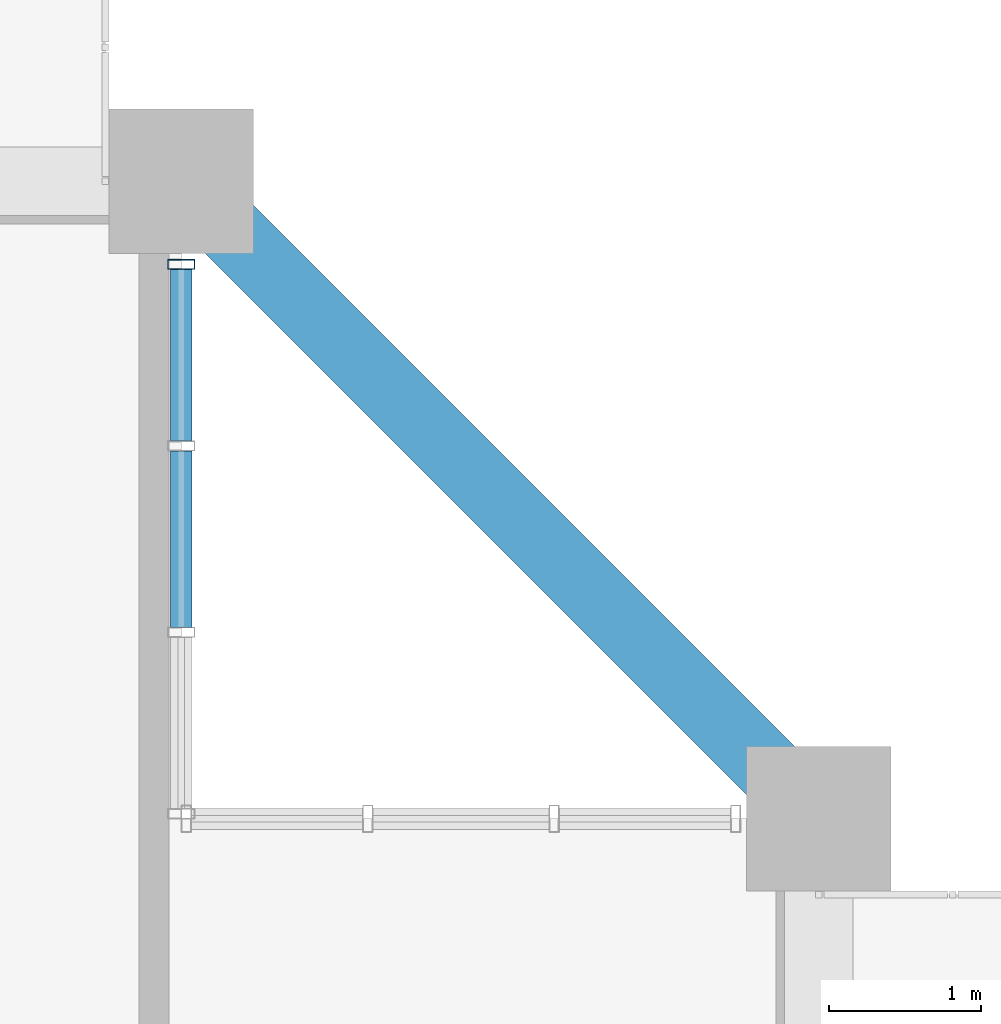
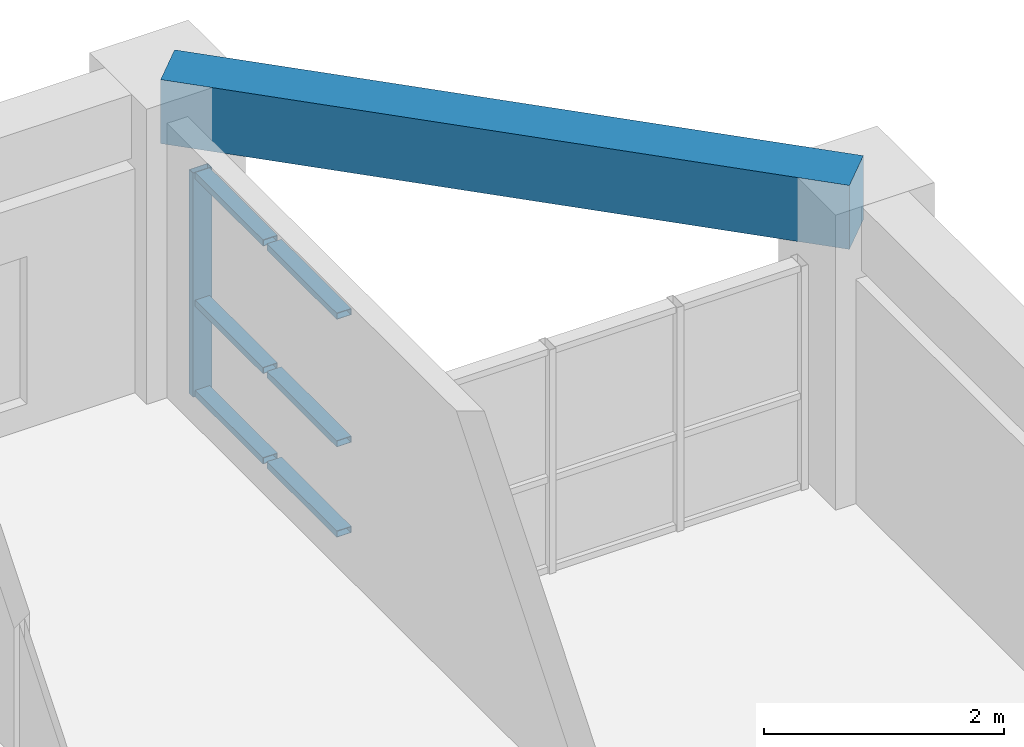
# One storey, part 12 of 25: 7 members, 1 beam, 1 element without a shape of its own.
"""IFC4 building model written with IfcOpenShell, lengths in metres."""

import ifcopenshell
import ifcopenshell.guid

model = None  # the IFC model being written
_history = None  # IfcOwnerHistory: only IFC2X3 demands one
_inside = {}  # id of a spatial element -> (the spatial element, [elements in it])
_under = {}  # id of a project, library or spatial element -> (it, [spatial elements below it])
_declared = {}  # id of a project -> (the project, [libraries it declares])
_typed = {}  # id of a type object -> (the type object, [elements of that type])
_made_of = {}  # id of a material, layer set ... -> (it, [elements and type objects made of it])


def new_model(schema):
    """Start an empty IFC model of exactly this schema.

    Asked for "IFC4X3", IfcOpenShell would pick the latest addendum, in which some entities
    have other attributes; the version numbers below select the first issue.
    IFC2X3 requires an IfcOwnerHistory on every rooted entity: one is made here for all.
    """
    global model, _history
    if schema == "IFC4X3":
        model = ifcopenshell.file(schema_version=(4, 3, 0, 0))
    else:
        model = ifcopenshell.file(schema=schema)
    _inside.clear()
    _under.clear()
    _declared.clear()
    _typed.clear()
    _made_of.clear()
    _history = None
    if model.schema == "IFC2X3":
        org = make("IfcOrganization", Name="unknown")
        user = make(
            "IfcPersonAndOrganization",
            ThePerson=make("IfcPerson", FamilyName="unknown"),
            TheOrganization=org,
        )
        app = make(
            "IfcApplication",
            ApplicationDeveloper=org,
            Version="unknown",
            ApplicationFullName="unknown",
            ApplicationIdentifier="unknown",
        )
        _history = make(
            "IfcOwnerHistory",
            OwningUser=user,
            OwningApplication=app,
            ChangeAction="ADDED",
            CreationDate=0,
        )
    return model


def make(cls, **values):
    """One entity of the class cls with the attributes given. An attribute that is None is left unset."""
    return model.create_entity(
        cls, **{name: value for name, value in values.items() if value is not None}
    )


def rooted(cls, **values):
    """An entity with a GlobalId (a new one), such as an element, a storey or a relation."""
    return make(cls, GlobalId=ifcopenshell.guid.new(), OwnerHistory=_history, **values)


def si_unit(unit_type, name, prefix=None):
    """IfcSIUnit, for example si_unit("LENGTHUNIT", "METRE", prefix="MILLI")."""
    return make("IfcSIUnit", UnitType=unit_type, Prefix=prefix, Name=name)


def assignment(units):
    """IfcUnitAssignment: the units of a project."""
    return None if units is None else make("IfcUnitAssignment", Units=units)


def point(xyz):
    """IfcCartesianPoint."""
    return None if xyz is None else make("IfcCartesianPoint", Coordinates=xyz)


def direction(xyz):
    """IfcDirection."""
    return None if xyz is None else make("IfcDirection", DirectionRatios=xyz)


def frame(location, z_axis=None, x_axis=None):
    """IfcAxis2Placement3D, a coordinate frame: its origin and axes. An axis left out is left unset."""
    return make(
        "IfcAxis2Placement3D",
        Location=point(location),
        Axis=direction(z_axis),
        RefDirection=direction(x_axis),
    )


def frame_2d(location, x_axis=None):
    """IfcAxis2Placement2D, a coordinate frame in the plane: its origin and x axis."""
    return make(
        "IfcAxis2Placement2D", Location=point(location), RefDirection=direction(x_axis)
    )


def origin():
    """The frame at (0, 0, 0) with its axes left unset."""
    return frame((0.0, 0.0, 0.0))


def origin_2d():
    """The frame at (0, 0) in the plane with its x axis left unset."""
    return frame_2d((0.0, 0.0))


def place(relative_to, where):
    """IfcLocalPlacement: puts the frame where relative to a parent placement (None: the world)."""
    return make(
        "IfcLocalPlacement", PlacementRelTo=relative_to, RelativePlacement=where
    )


def context(
    kind, dimensions, precision=None, world=None, true_north=None, identifier=None
):
    """IfcGeometricRepresentationContext, for example the 3D "Model" context."""
    return make(
        "IfcGeometricRepresentationContext",
        ContextIdentifier=identifier,
        ContextType=kind,
        CoordinateSpaceDimension=dimensions,
        Precision=precision,
        WorldCoordinateSystem=world,
        TrueNorth=true_north,
    )


def subcontext(parent, identifier, kind, view, scale=None):
    """IfcGeometricRepresentationSubContext, for example "Body" below "Model"."""
    return make(
        "IfcGeometricRepresentationSubContext",
        ContextIdentifier=identifier,
        ContextType=kind,
        ParentContext=parent,
        TargetScale=scale,
        TargetView=view,
    )


def project(units=None, contexts=None):
    """IfcProject with its units and contexts."""
    return rooted(
        "IfcProject",
        Name="project",
        RepresentationContexts=contexts,
        UnitsInContext=assignment(units),
    )


def spatial(cls, under=None, at=None, **own):
    """A site, building, storey or space (cls), placed at a placement, below another one or the project."""
    s = rooted(cls, ObjectPlacement=at, **own)
    if under is not None:
        _under.setdefault(under.id(), (under, []))[1].append(s)
    return s


def profile(cls, at=None, kind="AREA", **sizes):
    """A parametric profile (cls). Its sizes go by their IFC names, for example OverallWidth=200.0."""
    return make(cls, ProfileType=kind, Position=at, **sizes)


def rectangle(**sizes):
    """IfcRectangleProfileDef."""
    return profile("IfcRectangleProfileDef", **sizes)


def hollow_rectangle(**sizes):
    """IfcRectangleHollowProfileDef."""
    return profile("IfcRectangleHollowProfileDef", **sizes)


def extrude(swept, where, along, depth):
    """IfcExtrudedAreaSolid: the profile swept, set in the frame where, extruded along a direction by depth."""
    return make(
        "IfcExtrudedAreaSolid",
        SweptArea=swept,
        Position=where,
        ExtrudedDirection=direction(along),
        Depth=depth,
    )


def shape(context_of_items, identifier, shape_type, items):
    """IfcShapeRepresentation: the items that make up one representation, for example the "Body"."""
    return make(
        "IfcShapeRepresentation",
        ContextOfItems=context_of_items,
        RepresentationIdentifier=identifier,
        RepresentationType=shape_type,
        Items=items,
    )


def source(mapping_origin, context_of_items, identifier, shape_type, items):
    """IfcRepresentationMap: a shape defined once, which mapped items show again and again."""
    return make(
        "IfcRepresentationMap",
        MappingOrigin=mapping_origin,
        MappedRepresentation=shape(context_of_items, identifier, shape_type, items),
    )


def transform(
    local_origin,
    x_axis=None,
    y_axis=None,
    z_axis=None,
    scale=None,
    scale2=None,
    scale3=None,
    uniform=True,
):
    """IfcCartesianTransformationOperator3D, or its non-uniform kind. x_axis, y_axis, z_axis: its Axis1, 2, 3."""
    if uniform:
        return make(
            "IfcCartesianTransformationOperator3D",
            Axis1=direction(x_axis),
            Axis2=direction(y_axis),
            LocalOrigin=point(local_origin),
            Scale=scale,
            Axis3=direction(z_axis),
        )
    return make(
        "IfcCartesianTransformationOperator3DnonUniform",
        Axis1=direction(x_axis),
        Axis2=direction(y_axis),
        LocalOrigin=point(local_origin),
        Scale=scale,
        Axis3=direction(z_axis),
        Scale2=scale2,
        Scale3=scale3,
    )


def mapped(mapping_source, mapping_target):
    """IfcMappedItem: shows the shape of a source again, moved by a transform."""
    return make(
        "IfcMappedItem", MappingSource=mapping_source, MappingTarget=mapping_target
    )


def material(Name=None, Category=None):
    """IfcMaterial."""
    return make("IfcMaterial", Name=Name, Category=Category)


def layer(
    of_material, thickness, ventilated=None, Name=None, Category=None, Priority=None
):
    """IfcMaterialLayer: one layer of a wall or slab, of a material (None: an air gap)."""
    return make(
        "IfcMaterialLayer",
        Material=of_material,
        LayerThickness=thickness,
        IsVentilated=ventilated,
        Name=Name,
        Category=Category,
        Priority=Priority,
    )


def layer_set(layers, Name=None):
    """IfcMaterialLayerSet."""
    return make("IfcMaterialLayerSet", MaterialLayers=layers, LayerSetName=Name)


def material_profile(
    of_material, cross_section, Name=None, Category=None, Priority=None
):
    """IfcMaterialProfile: a cross section and its material."""
    return make(
        "IfcMaterialProfile",
        Name=Name,
        Material=of_material,
        Profile=cross_section,
        Priority=Priority,
        Category=Category,
    )


def profile_set(profiles, Name=None, composite=None):
    """IfcMaterialProfileSet."""
    return make(
        "IfcMaterialProfileSet",
        Name=Name,
        MaterialProfiles=profiles,
        CompositeProfile=composite,
    )


def made_of(thing, what):
    """Note that an element or type object is made of a material, layer set ...; save() writes the relation."""
    if what is not None:
        _made_of.setdefault(what.id(), (what, []))[1].append(thing)
    return thing


def type_object(cls, material=None, **own):
    """A type object (cls), such as IfcWallType, which elements share."""
    return made_of(rooted(cls, **own), material)


def element(
    cls,
    number,
    at=None,
    inside=None,
    cuts=None,
    type_object=None,
    material=None,
    context=None,
    identifier="Body",
    shape_type=None,
    held_by="IfcProductDefinitionShape",
    body=None,
    shapes=None,
    **own,
):
    """One element of the class cls, such as IfcWall. Its Tag is "e" and its number.

    at: its placement. inside: the storey or other place that contains it. cuts: it is an
    opening in that element (IfcRelVoidsElement). A single representation is given by context,
    identifier, shape_type and body (its items); several are given by shapes. held_by: the class
    of the entity that holds the representations. save() writes the other relations.
    """
    e = rooted(cls, Tag="e%d" % number, ObjectPlacement=at, **own)
    if body is not None:
        shapes = [shape(context, identifier, shape_type, body)]
    if shapes is not None:
        e.Representation = make(held_by, Representations=shapes)
    if inside is not None:
        _inside.setdefault(inside.id(), (inside, []))[1].append(e)
    if cuts is not None:
        rooted(
            "IfcRelVoidsElement", RelatingBuildingElement=cuts, RelatedOpeningElement=e
        )
    if type_object is not None:
        _typed.setdefault(type_object.id(), (type_object, []))[1].append(e)
    return made_of(e, material)


def aggregate(whole, parts):
    """IfcRelAggregates: a whole, such as a stair, and the parts it consists of."""
    return rooted("IfcRelAggregates", RelatingObject=whole, RelatedObjects=parts)


def save(model, path):
    """Write the relations noted so far, then the file.

    IfcRelAggregates (storeys below a building ...), IfcRelContainedInSpatialStructure (elements
    in a storey), IfcRelDefinesByType, IfcRelAssociatesMaterial and IfcRelDeclares: one each for
    every whole, place, type object, material and project.
    """
    for whole, parts in _under.values():
        aggregate(whole, parts)
    for where, things in _inside.values():
        rooted(
            "IfcRelContainedInSpatialStructure",
            RelatedElements=things,
            RelatingStructure=where,
        )
    for kind, things in _typed.values():
        rooted("IfcRelDefinesByType", RelatedObjects=things, RelatingType=kind)
    for what, things in _made_of.values():
        rooted("IfcRelAssociatesMaterial", RelatedObjects=things, RelatingMaterial=what)
    for by, libraries in _declared.values():
        rooted("IfcRelDeclares", RelatingContext=by, RelatedDefinitions=libraries)
    model.write(path)


model = new_model("IFC4")

# Units and contexts
model_context = context("Model", 3, precision=1e-05, world=origin(), true_north=direction((0.0, 1.0)))
body_context = subcontext(model_context, "Body", "Model", "MODEL_VIEW")
ifc_project = project(units=[si_unit("LENGTHUNIT", "METRE"), si_unit("AREAUNIT", "SQUARE_METRE"), si_unit("VOLUMEUNIT", "CUBIC_METRE"), si_unit("PLANEANGLEUNIT", "RADIAN"), si_unit("MASSUNIT", "GRAM", prefix="KILO")], contexts=[model_context])

# Site, building, storey
site_placement = place(None, origin())
site = spatial("IfcSite", under=ifc_project, at=site_placement, CompositionType="ELEMENT")
building_placement = place(site_placement, origin())
building = spatial("IfcBuilding", under=site, at=building_placement, Name="Saelheon Loggia Tower", CompositionType="ELEMENT")
storey_placement = place(building_placement, frame((0.0, 0.0, 80.85009765625)))
storey = spatial("IfcBuildingStorey", under=building, at=storey_placement, Name="L25", CompositionType="ELEMENT", Elevation=80.85009765625)

# Beam
ifc_material_1 = material(Name="Concrete C40/50", Category="concrete")
ifc_material_profile_1 = material_profile(ifc_material_1, rectangle(XDim=0.449951171875, YDim=0.64990234375, at=origin_2d()), Name="RC-450x650")
ifc_profile_set_1 = profile_set([ifc_material_profile_1], Name="Concrete C40/50")
beam_type = type_object("IfcBeamType", Name="Beam_PerimTower_RC450x650", PredefinedType="BEAM", material=ifc_profile_set_1)
shared_shape_1 = source(origin(), body_context, "Body", "SweptSolid", [
    extrude(rectangle(XDim=0.449951171875, YDim=0.64990234375, at=origin_2d()), origin(), (0.0, 0.0, 1.0), 5.939697265625),
])
beam_placement = place(storey_placement, frame((64.0, 46.800048828125, 2.6748046875), z_axis=(-0.707106781187, 0.707106781187, 0.0), x_axis=(-0.707106781187, -0.707106781187, 0.0)))
element("IfcBeam", 1, at=beam_placement, inside=storey, type_object=beam_type, Name="L25 Perimeter Frame Girder 08", PredefinedType="BEAM", context=body_context, shape_type="MappedRepresentation", body=[
    mapped(shared_shape_1, transform((0.0, 0.0, 0.0), scale=1.0)),
])

# Curtain wall, members
ifc_material_2 = material(Name="Thermal-Break Aluminium and Triple Low-E Glass", Category="aluminium")
ifc_layer = layer(ifc_material_2, 0.159912109375)
ifc_layer_set = layer_set([ifc_layer], Name="Thermal-Break Aluminium and Triple Low-E Glass")
curtain_wall_type = type_object("IfcCurtainWallType", Name="CW_TowerLoggiaLow", PredefinedType="NOTDEFINED", material=ifc_layer_set)
curtain_wall_placement = place(storey_placement, origin())
curtain_wall = element("IfcCurtainWall", 2, at=curtain_wall_placement, inside=storey, type_object=curtain_wall_type, Name="L25 Corner Notch Glazing NE1", PredefinedType="NOTDEFINED")
ifc_material_3 = material(Name="Anodised Aluminium 6063-T6", Category="aluminium")
ifc_material_profile_2 = material_profile(ifc_material_3, hollow_rectangle(XDim=0.06494140625, YDim=0.179931640625, WallThickness=0.00390625, at=origin_2d()), Name="RHS-180x65x4")
ifc_profile_set_2 = profile_set([ifc_material_profile_2], Name="Anodised Aluminium 6063-T6")
member_type_1 = type_object("IfcMemberType", Name="CW_TowerLoggiaLow_Mullion", PredefinedType="MULLION", material=ifc_profile_set_2)
shared_shape_2 = source(origin(), body_context, "Body", "SweptSolid", [
    extrude(hollow_rectangle(XDim=0.06494140625, YDim=0.179931640625, WallThickness=0.00390625, at=origin_2d()), origin(), (0.0, 0.0, 1.0), 2.27978515625),
])
member_1_placement = place(storey_placement, frame((59.800048828125, 50.452392578125, 0.0), z_axis=(0.0, 0.0, 1.0), x_axis=(0.0, 1.0, 0.0)))
member_1 = element("IfcMember", 3, at=member_1_placement, type_object=member_type_1, Name="CW3 mullion 4", PredefinedType="MULLION", context=body_context, shape_type="MappedRepresentation", body=[
    mapped(shared_shape_2, transform((0.0, 0.0, 0.0), scale=1.0)),
])
ifc_material_profile_3 = material_profile(ifc_material_3, hollow_rectangle(XDim=0.06494140625, YDim=0.139892578125, WallThickness=0.00390625, at=origin_2d()), Name="RHS-140x65x4")
ifc_profile_set_3 = profile_set([ifc_material_profile_3], Name="Anodised Aluminium 6063-T6")
member_type_2 = type_object("IfcMemberType", Name="CW_TowerLoggiaLow_Transom", PredefinedType="USERDEFINED", material=ifc_profile_set_3)
shared_shape_3 = source(origin(), body_context, "Body", "SweptSolid", [
    extrude(hollow_rectangle(XDim=0.06494140625, YDim=0.139892578125, WallThickness=0.00390625, at=origin_2d()), origin(), (0.0, 0.0, 1.0), 1.130859375),
])
member_2_placement = place(storey_placement, frame((59.800048828125, 49.2890625, 0.032470703125), z_axis=(0.0, 1.0, 0.0), x_axis=(0.0, 0.0, 1.0)))
member_2 = element("IfcMember", 4, at=member_2_placement, type_object=member_type_2, Name="CW3 transom 3.1", ObjectType="TRANSOM", PredefinedType="USERDEFINED", context=body_context, shape_type="MappedRepresentation", body=[
    mapped(shared_shape_3, transform((0.0, 0.0, 0.0), scale=1.0)),
])
member_3_placement = place(storey_placement, frame((59.800048828125, 49.2890625, 0.949951171875), z_axis=(0.0, 1.0, 0.0), x_axis=(0.0, 0.0, 1.0)))
member_3 = element("IfcMember", 5, at=member_3_placement, type_object=member_type_2, Name="CW3 transom 3.2", ObjectType="TRANSOM", PredefinedType="USERDEFINED", context=body_context, shape_type="MappedRepresentation", body=[
    mapped(shared_shape_3, transform((0.0, 0.0, 0.0), scale=1.0)),
])
member_4_placement = place(storey_placement, frame((59.800048828125, 49.2890625, 2.247314453125), z_axis=(0.0, 1.0, 0.0), x_axis=(0.0, 0.0, 1.0)))
member_4 = element("IfcMember", 6, at=member_4_placement, type_object=member_type_2, Name="CW3 transom 3.3", ObjectType="TRANSOM", PredefinedType="USERDEFINED", context=body_context, shape_type="MappedRepresentation", body=[
    mapped(shared_shape_3, transform((0.0, 0.0, 0.0), scale=1.0)),
])
shared_shape_4 = source(origin(), body_context, "Body", "SweptSolid", [
    extrude(hollow_rectangle(XDim=0.06494140625, YDim=0.139892578125, WallThickness=0.00390625, at=origin_2d()), origin(), (0.0, 0.0, 1.0), 1.163330078125),
])
member_5_placement = place(storey_placement, frame((59.800048828125, 48.060791015625, 0.032470703125), z_axis=(0.0, 1.0, 0.0), x_axis=(0.0, 0.0, 1.0)))
member_5 = element("IfcMember", 7, at=member_5_placement, type_object=member_type_2, Name="CW3 transom 2.1", ObjectType="TRANSOM", PredefinedType="USERDEFINED", context=body_context, shape_type="MappedRepresentation", body=[
    mapped(shared_shape_4, transform((0.0, 0.0, 0.0), scale=1.0)),
])
member_6_placement = place(storey_placement, frame((59.800048828125, 48.060791015625, 0.949951171875), z_axis=(0.0, 1.0, 0.0), x_axis=(0.0, 0.0, 1.0)))
member_6 = element("IfcMember", 8, at=member_6_placement, type_object=member_type_2, Name="CW3 transom 2.2", ObjectType="TRANSOM", PredefinedType="USERDEFINED", context=body_context, shape_type="MappedRepresentation", body=[
    mapped(shared_shape_4, transform((0.0, 0.0, 0.0), scale=1.0)),
])
member_7_placement = place(storey_placement, frame((59.800048828125, 48.060791015625, 2.247314453125), z_axis=(0.0, 1.0, 0.0), x_axis=(0.0, 0.0, 1.0)))
member_7 = element("IfcMember", 9, at=member_7_placement, type_object=member_type_2, Name="CW3 transom 2.3", ObjectType="TRANSOM", PredefinedType="USERDEFINED", context=body_context, shape_type="MappedRepresentation", body=[
    mapped(shared_shape_4, transform((0.0, 0.0, 0.0), scale=1.0)),
])
aggregate(curtain_wall, [member_1, member_5, member_6, member_7, member_2, member_3, member_4])

save(model, "model.ifc")
